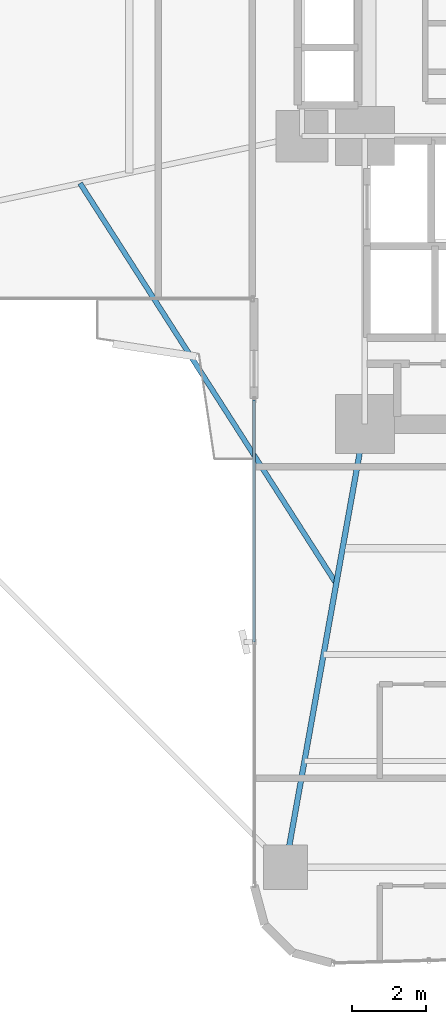
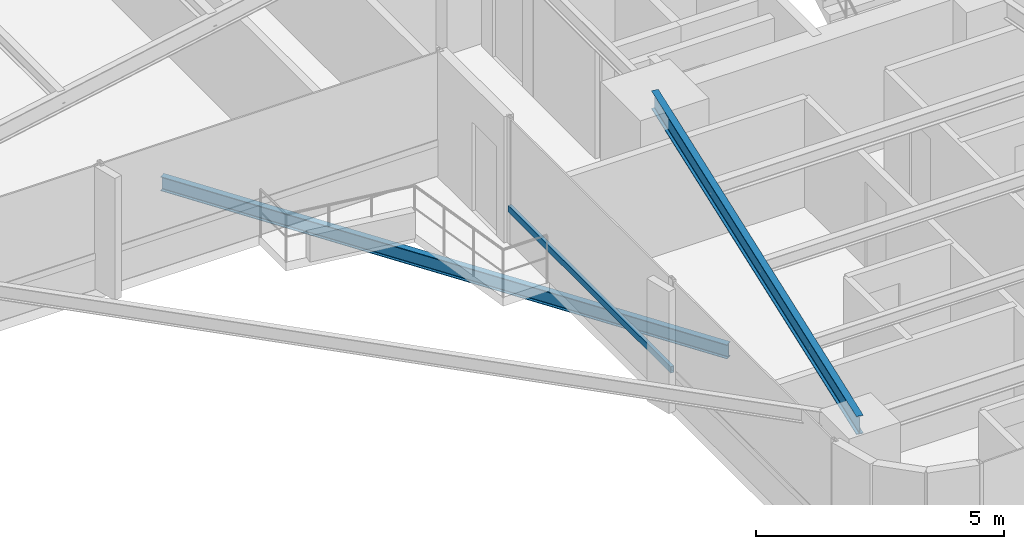
# One storey, part 3 of 25: 2 beams, 1 member, 1 element without a shape of its own.
"""IFC4 building model written with IfcOpenShell, lengths in metres."""

from ifc_helpers import new_model, si_unit, direction, frame, origin, origin_2d, place, context, subcontext, project, spatial, hollow_rectangle, i_section, extrude, source, transform, mapped, material, material_profile, profile_set, type_object, element, aggregate, save


model = new_model("IFC4")

# Units and contexts
model_context = context("Model", 3, precision=1e-05, world=origin(), true_north=direction((0.0, 1.0)))
body_context = subcontext(model_context, "Body", "Model", "MODEL_VIEW")
ifc_project = project(units=[si_unit("LENGTHUNIT", "METRE"), si_unit("AREAUNIT", "SQUARE_METRE"), si_unit("VOLUMEUNIT", "CUBIC_METRE"), si_unit("PLANEANGLEUNIT", "RADIAN"), si_unit("MASSUNIT", "GRAM", prefix="KILO")], contexts=[model_context])

# Site, building, storey
site_placement = place(None, origin())
site = spatial("IfcSite", under=ifc_project, at=site_placement, CompositionType="ELEMENT")
building_placement = place(site_placement, origin())
building = spatial("IfcBuilding", under=site, at=building_placement, Name="Sahyath Konkavel Grand Hotel", CompositionType="ELEMENT")
storey_placement = place(building_placement, frame((0.0, 0.0, 36.5)))
storey = spatial("IfcBuildingStorey", under=building, at=storey_placement, Name="L09", CompositionType="ELEMENT", Elevation=36.5)

# Beam
ifc_material_1 = material(Name="Steel E350", Category="steel")
ifc_material_profile_1 = material_profile(ifc_material_1, i_section(OverallWidth=0.14990234375, OverallDepth=0.449951171875, WebThickness=0.009521484375, FlangeThickness=0.017333984375, FilletRadius=0.014892578125, at=origin_2d()), Name="ISMB 450")
ifc_profile_set_1 = profile_set([ifc_material_profile_1], Name="Steel E350")
beam_type_1 = type_object("IfcBeamType", Name="BM-ISMB450", PredefinedType="BEAM", material=ifc_profile_set_1)
shared_shape_1 = source(origin(), body_context, "Body", "SweptSolid", [
    extrude(i_section(OverallWidth=0.14990234375, OverallDepth=0.449951171875, WebThickness=0.009521484375, FlangeThickness=0.017333984375, FilletRadius=0.014892578125, at=origin_2d()), origin(), (0.0, 0.0, 1.0), 12.191162109375),
])
beam_1_placement = place(storey_placement, frame((-3.800048828125, -10.199951171875, 2.885009765625), z_axis=(-0.176350650305, -0.984327409014, 0.0), x_axis=(0.984327409014, -0.176350650305, 0.0)))
element("IfcBeam", 1, at=beam_1_placement, inside=storey, type_object=beam_type_1, Name="L09 Cruciform Radial Girder SA", PredefinedType="BEAM", context=body_context, shape_type="MappedRepresentation", body=[
    mapped(shared_shape_1, transform((0.0, 0.0, 0.0), scale=1.0)),
])

# Curtain wall, member
ifc_material_2 = material(Name="Anodised Bronze Aluminium & Low-E Glazing", Category="aluminium")
curtain_wall_type = type_object("IfcCurtainWallType", Name="CW-ZONE1", PredefinedType="NOTDEFINED", material=ifc_material_2)
curtain_wall_placement = place(storey_placement, origin())
curtain_wall = element("IfcCurtainWall", 2, at=curtain_wall_placement, inside=storey, type_object=curtain_wall_type, Name="L09 Unitised Curtain Wall F24", PredefinedType="NOTDEFINED")
ifc_material_3 = material(Name="Anodised Bronze Aluminium", Category="aluminium")
ifc_material_profile_2 = material_profile(ifc_material_3, hollow_rectangle(XDim=0.080078125, YDim=0.159912109375, WallThickness=0.006103515625, at=origin_2d()), Name="RHS 160x80x6")
ifc_profile_set_2 = profile_set([ifc_material_profile_2], Name="Anodised Bronze Aluminium")
member_type = type_object("IfcMemberType", Name="CW-TRN-160", PredefinedType="USERDEFINED", material=ifc_profile_set_2)
shared_shape_2 = source(origin(), body_context, "Body", "SweptSolid", [
    extrude(hollow_rectangle(XDim=0.080078125, YDim=0.159912109375, WallThickness=0.006103515625, at=origin_2d()), origin(), (0.0, 0.0, 1.0), 6.56005859375),
])
member_placement = place(storey_placement, frame((-6.800048828125, -9.5400390625, 0.85009765625), z_axis=(0.0, -1.0, 0.0), x_axis=(1.0, 0.0, 0.0)))
member = element("IfcMember", 3, at=member_placement, type_object=member_type, Name="L09 Curtain Wall Transom F24-0-spandrel", ObjectType="TRANSOM", PredefinedType="USERDEFINED", context=body_context, shape_type="MappedRepresentation", body=[
    mapped(shared_shape_2, transform((0.0, 0.0, 0.0), scale=1.0)),
])
aggregate(curtain_wall, [member])

# Beam
ifc_material_profile_3 = material_profile(ifc_material_1, i_section(OverallWidth=0.139892578125, OverallDepth=0.35009765625, WebThickness=0.008056640625, FlangeThickness=0.01416015625, FilletRadius=0.013916015625, at=origin_2d()), Name="ISMB 350")
ifc_profile_set_3 = profile_set([ifc_material_profile_3], Name="Steel E350")
beam_type_2 = type_object("IfcBeamType", Name="BM-BALC-CANT", PredefinedType="BEAM", material=ifc_profile_set_3)
shared_shape_3 = source(origin(), body_context, "Body", "SweptSolid", [
    extrude(i_section(OverallWidth=0.139892578125, OverallDepth=0.35009765625, WebThickness=0.008056640625, FlangeThickness=0.01416015625, FilletRadius=0.013916015625, at=origin_2d()), origin(), (0.0, 0.0, 1.0), 12.871826171875),
])
beam_2_placement = place(storey_placement, frame((-11.511962890625, -3.677978515625, -0.4150390625), z_axis=(0.539003102535, -0.842303778608, 0.0), x_axis=(0.842303778608, 0.539003102535, 0.0)))
element("IfcBeam", 4, at=beam_2_placement, inside=storey, type_object=beam_type_2, Name="L09 Balcony Cantilever Support Beam SW", PredefinedType="BEAM", context=body_context, shape_type="MappedRepresentation", body=[
    mapped(shared_shape_3, transform((0.0, 0.0, 0.0), scale=1.0)),
])

save(model, "model.ifc")
